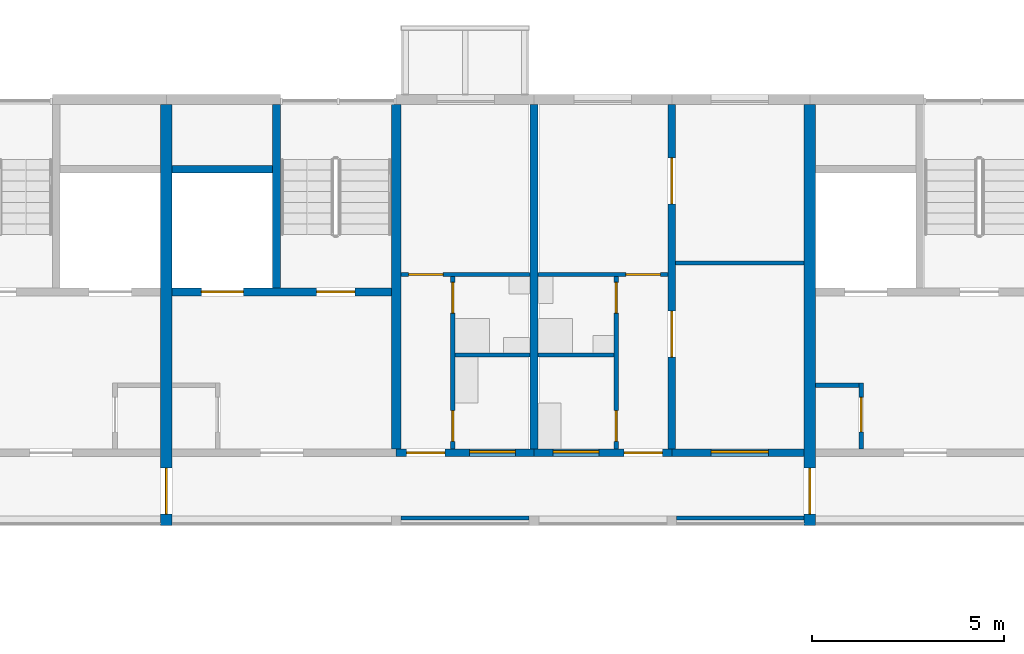
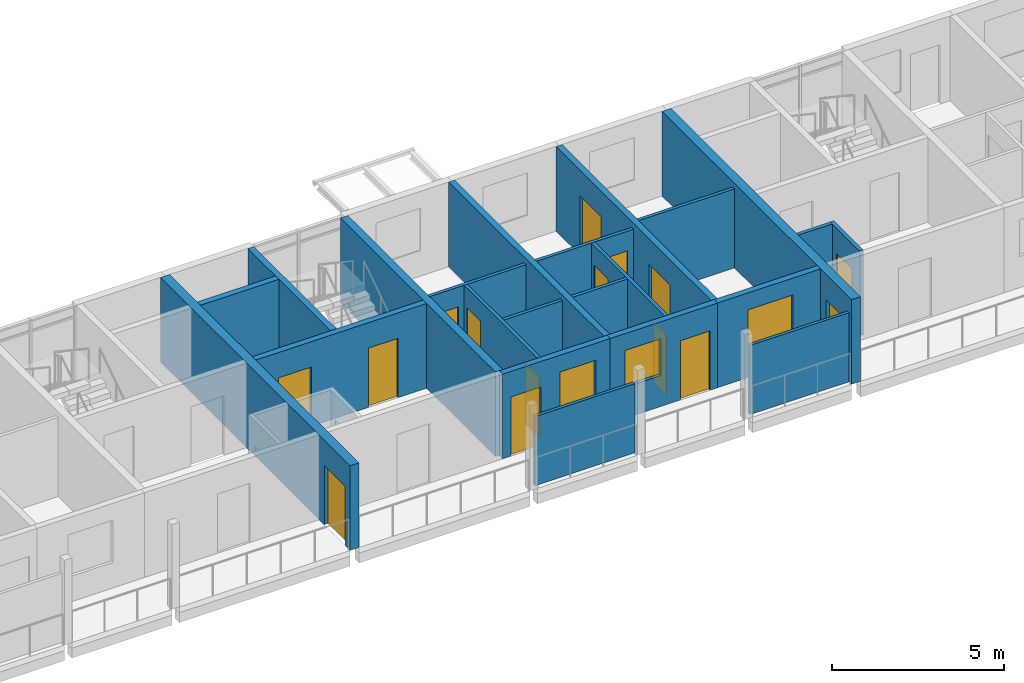
# One storey, part 52 of 98: 22 walls, 15 doors, 3 windows, 18 openings.
"""IFC4 building model written with IfcOpenShell, lengths in metres."""

from ifc_helpers import new_model, si_unit, direction, frame, frame_2d, origin, place, context, subcontext, project, spatial, rectangle, extrude, material, layer, layer_set, type_object, element, fill, save


model = new_model("IFC4")

# Units and contexts
model_context = context("Model", 3, precision=1e-05, world=origin(), true_north=direction((0.0, 1.0)))
body_context = subcontext(model_context, "Body", "Model", "MODEL_VIEW")
ifc_project = project(units=[si_unit("LENGTHUNIT", "METRE"), si_unit("AREAUNIT", "SQUARE_METRE"), si_unit("VOLUMEUNIT", "CUBIC_METRE"), si_unit("PLANEANGLEUNIT", "RADIAN"), si_unit("MASSUNIT", "GRAM", prefix="KILO")], contexts=[model_context])

# Site, building, storey
site_placement = place(None, origin())
site = spatial("IfcSite", under=ifc_project, at=site_placement, CompositionType="ELEMENT")
building_placement = place(site_placement, origin())
building = spatial("IfcBuilding", under=site, at=building_placement, Name="Ridgestep Commons", CompositionType="ELEMENT")
storey_placement = place(building_placement, frame((0.0, 0.0, 12.0)))
storey = spatial("IfcBuildingStorey", under=building, at=storey_placement, Name="L04", CompositionType="ELEMENT", Elevation=12.0)

# Wall
ifc_material_1 = material(Name="Concrete C30/37", Category="concrete")
ifc_layer_1 = layer(ifc_material_1, 0.25)
ifc_layer_set_1 = layer_set([ifc_layer_1], Name="Core cross wall 250")
wall_type_1 = type_object("IfcWallType", Name="Core cross wall 250", PredefinedType="SHEAR", material=ifc_layer_set_1)
wall_1_placement = place(storey_placement, frame((186.39990234375, 68.0, 0.0), z_axis=(0.0, 0.0, 1.0), x_axis=(0.0, 1.0, 0.0)))
element("IfcWall", 1, at=wall_1_placement, inside=storey, type_object=wall_type_1, Name="Cross wall C-04-1864", PredefinedType="SHEAR", context=body_context, shape_type="SweptSolid", body=[
    extrude(rectangle(XDim=9.0, YDim=0.25, at=frame_2d((4.5, 0.0))), origin(), (0.0, 0.0, 1.0), 3.0),
])

# Wall, opening, door
ifc_material_2 = material(Name="Concrete C30/37", Category="concrete")
ifc_layer_2 = layer(ifc_material_2, 0.1201171875)
ifc_layer_set_2 = layer_set([ifc_layer_2], Name="Core wall 120")
wall_type_2 = type_object("IfcWallType", Name="Core wall 120", PredefinedType="SHEAR", material=ifc_layer_set_2)
wall_2_placement = place(storey_placement, frame((198.5400390625, 68.0, 0.0), z_axis=(0.0, 0.0, 1.0), x_axis=(0.0, 1.0, 0.0)))
wall_2 = element("IfcWall", 2, at=wall_2_placement, inside=storey, type_object=wall_type_2, Name="Core riser w wall C4C L04", PredefinedType="SHEAR", context=body_context, shape_type="SweptSolid", body=[
    extrude(rectangle(XDim=1.719970703125, YDim=0.1201171875, at=frame_2d((0.85986328125, 0.0))), origin(), (0.0, 0.0, 1.0), 3.0),
])
opening_1_placement = place(wall_2_placement, frame((0.449951171875, 0.0, 0.0)))
opening_1 = element("IfcOpeningElement", 3, at=opening_1_placement, cuts=wall_2, Name="Opening C4C/04/4", PredefinedType="OPENING", context=body_context, shape_type="SweptSolid", body=[
    extrude(rectangle(XDim=0.89990234375, YDim=2.10009765625, at=frame_2d((0.449951171875, 1.050048828125))), frame((0.0, 0.070068359375, 0.0), z_axis=(0.0, -1.0, 0.0), x_axis=(1.0, 0.0, 0.0)), (0.0, 0.0, 1.0), 0.14013671875),
])
ifc_material_3 = material(Name="Steel fire door", Category="steel")
door_type_1 = type_object("IfcDoorType", Name="Riser door 900 x 2100 FD60", OperationType="NOTDEFINED", PredefinedType="DOOR", material=ifc_material_3)
door_1_placement = place(opening_1_placement, origin())
door_1 = element("IfcDoor", 4, at=door_1_placement, inside=storey, type_object=door_type_1, Name="Riser door C4C/04/4", OperationType="SINGLE_SWING_RIGHT", OverallHeight=2.10009765625, OverallWidth=0.89990234375, PredefinedType="DOOR", context=body_context, shape_type="SweptSolid", body=[
    extrude(rectangle(XDim=0.89990234375, YDim=2.10009765625, at=frame_2d((0.449951171875, 1.050048828125))), frame((0.0, 0.02490234375, 0.0), z_axis=(0.0, -1.0, 0.0), x_axis=(1.0, 0.0, 0.0)), (0.0, 0.0, 1.0), 0.050048828125),
])
fill(opening_1, door_1)

# Wall
wall_3_placement = place(storey_placement, frame((197.35009765625, 69.659912109375, 0.0), z_axis=(0.0, 0.0, 1.0), x_axis=(1.0, 0.0, 0.0)))
element("IfcWall", 5, at=wall_3_placement, inside=storey, type_object=wall_type_2, Name="Core riser n wall C4C L04", PredefinedType="SHEAR", context=body_context, shape_type="SweptSolid", body=[
    extrude(rectangle(XDim=1.1298828125, YDim=0.1201171875, at=frame_2d((0.56494140625, 0.0))), origin(), (0.0, 0.0, 1.0), 3.0),
])

# Wall, openings, doors
ifc_material_4 = material(Name="Concrete C30/37", Category="concrete")
ifc_layer_3 = layer(ifc_material_4, 0.199951171875)
ifc_layer_set_3 = layer_set([ifc_layer_3], Name="Core wall 200")
wall_type_3 = type_object("IfcWallType", Name="Core wall 200", PredefinedType="SHEAR", material=ifc_layer_set_3)
wall_4_placement = place(storey_placement, frame((180.550048828125, 72.10009765625, 0.0), z_axis=(0.0, 0.0, 1.0), x_axis=(1.0, 0.0, 0.0)))
wall_4 = element("IfcWall", 6, at=wall_4_placement, inside=storey, type_object=wall_type_3, Name="Core lobby wall C3C L04", PredefinedType="SHEAR", context=body_context, shape_type="SweptSolid", body=[
    extrude(rectangle(XDim=5.724853515625, YDim=0.199951171875, at=frame_2d((2.8623046875, 0.0))), origin(), (0.0, 0.0, 1.0), 3.0),
])
opening_2_placement = place(wall_4_placement, frame((3.77490234375, 0.0, 0.0)))
opening_2 = element("IfcOpeningElement", 7, at=opening_2_placement, cuts=wall_4, Name="Opening C3C/04/2", PredefinedType="OPENING", context=body_context, shape_type="SweptSolid", body=[
    extrude(rectangle(XDim=1.0, YDim=2.10009765625, at=frame_2d((0.5, 1.050048828125))), frame((0.0, 0.10986328125, 0.0), z_axis=(0.0, -1.0, 0.0), x_axis=(1.0, 0.0, 0.0)), (0.0, 0.0, 1.0), 0.219970703125),
])
opening_3_placement = place(wall_4_placement, frame((0.762451171875, 0.0, 0.0)))
opening_3 = element("IfcOpeningElement", 8, at=opening_3_placement, cuts=wall_4, Name="Opening C3C/04/3", PredefinedType="OPENING", context=body_context, shape_type="SweptSolid", body=[
    extrude(rectangle(XDim=1.10009765625, YDim=2.10009765625, at=frame_2d((0.550048828125, 1.050048828125))), frame((0.0, 0.10986328125, 0.0), z_axis=(0.0, -1.0, 0.0), x_axis=(1.0, 0.0, 0.0)), (0.0, 0.0, 1.0), 0.219970703125),
])
ifc_material_5 = material(Name="Stainless steel", Category="steel")
door_type_2 = type_object("IfcDoorType", Name="Lift landing door 1100 x 2100 FD60", OperationType="DOUBLE_DOOR_SLIDING", PredefinedType="DOOR", material=ifc_material_5)
door_2_placement = place(opening_3_placement, origin())
door_2 = element("IfcDoor", 9, at=door_2_placement, inside=storey, type_object=door_type_2, Name="Landing door LD C3C L04", OperationType="DOUBLE_DOOR_SLIDING", OverallHeight=2.10009765625, OverallWidth=1.10009765625, PredefinedType="DOOR", context=body_context, shape_type="SweptSolid", body=[
    extrude(rectangle(XDim=1.10009765625, YDim=2.10009765625, at=frame_2d((0.550048828125, 1.050048828125))), frame((0.0, 0.02490234375, 0.0), z_axis=(0.0, -1.0, 0.0), x_axis=(1.0, 0.0, 0.0)), (0.0, 0.0, 1.0), 0.050048828125),
])
fill(opening_3, door_2)
ifc_material_6 = material(Name="Steel fire door", Category="steel")
door_type_3 = type_object("IfcDoorType", Name="Stair door 1000 x 2100 FD60", OperationType="NOTDEFINED", PredefinedType="DOOR", material=ifc_material_6)
door_3_placement = place(opening_2_placement, origin())
door_3 = element("IfcDoor", 10, at=door_3_placement, inside=storey, type_object=door_type_3, Name="Stair door C3C/04/2", OperationType="SINGLE_SWING_RIGHT", OverallHeight=2.10009765625, OverallWidth=1.0, PredefinedType="DOOR", context=body_context, shape_type="SweptSolid", body=[
    extrude(rectangle(XDim=1.0, YDim=2.10009765625, at=frame_2d((0.5, 1.050048828125))), frame((0.0, 0.02490234375, 0.0), z_axis=(0.0, -1.0, 0.0), x_axis=(1.0, 0.0, 0.0)), (0.0, 0.0, 1.0), 0.050048828125),
])
fill(opening_2, door_3)

# Walls
wall_5_placement = place(storey_placement, frame((183.27490234375, 72.199951171875, 0.0), z_axis=(0.0, 0.0, 1.0), x_axis=(0.0, 1.0, 0.0)))
element("IfcWall", 11, at=wall_5_placement, inside=storey, type_object=wall_type_3, Name="Core stair wall C3C L04", PredefinedType="SHEAR", context=body_context, shape_type="SweptSolid", body=[
    extrude(rectangle(XDim=4.800048828125, YDim=0.199951171875, at=frame_2d((2.39990234375, 0.0))), origin(), (0.0, 0.0, 1.0), 3.0),
])
wall_6_placement = place(storey_placement, frame((180.550048828125, 75.300048828125, 0.0), z_axis=(0.0, 0.0, 1.0), x_axis=(1.0, 0.0, 0.0)))
element("IfcWall", 12, at=wall_6_placement, inside=storey, type_object=wall_type_3, Name="Core duct wall C3C L04", PredefinedType="SHEAR", context=body_context, shape_type="SweptSolid", body=[
    extrude(rectangle(XDim=2.625, YDim=0.199951171875, at=frame_2d((1.3125, 0.0))), origin(), (0.0, 0.0, 1.0), 3.0),
])
ifc_material_7 = material(Name="Precast concrete C40/50", Category="concrete")
ifc_layer_4 = layer(ifc_material_7, 0.199951171875)
ifc_layer_set_4 = layer_set([ifc_layer_4], Name="Cross wall 200")
wall_type_4 = type_object("IfcWallType", Name="Cross wall 200", PredefinedType="SHEAR", material=ifc_layer_set_4)
wall_7_placement = place(storey_placement, frame((190.0, 68.0, 0.0), z_axis=(0.0, 0.0, 1.0), x_axis=(0.0, 1.0, 0.0)))
element("IfcWall", 13, at=wall_7_placement, inside=storey, type_object=wall_type_4, Name="Cross wall C-04-1900", PredefinedType="SHEAR", context=body_context, shape_type="SweptSolid", body=[
    extrude(rectangle(XDim=9.0, YDim=0.199951171875, at=frame_2d((4.5, 0.0))), origin(), (0.0, 0.0, 1.0), 3.0),
])

# Wall, openings, doors
wall_8_placement = place(storey_placement, frame((193.60009765625, 68.0, 0.0), z_axis=(0.0, 0.0, 1.0), x_axis=(0.0, 1.0, 0.0)))
wall_8 = element("IfcWall", 14, at=wall_8_placement, inside=storey, type_object=wall_type_4, Name="Cross wall C-04-1936", PredefinedType="SHEAR", context=body_context, shape_type="SweptSolid", body=[
    extrude(rectangle(XDim=9.0, YDim=0.199951171875, at=frame_2d((4.5, 0.0))), origin(), (0.0, 0.0, 1.0), 3.0),
])
opening_4_placement = place(wall_8_placement, frame((2.39990234375, 0.0, 0.0)))
opening_4 = element("IfcOpeningElement", 15, at=opening_4_placement, cuts=wall_8, Name="Opening C3-04a/5", PredefinedType="OPENING", context=body_context, shape_type="SweptSolid", body=[
    extrude(rectangle(XDim=1.199951171875, YDim=2.10009765625, at=frame_2d((0.60009765625, 1.050048828125))), frame((0.0, 0.10986328125, 0.0), z_axis=(0.0, -1.0, 0.0), x_axis=(1.0, 0.0, 0.0)), (0.0, 0.0, 1.0), 0.219970703125),
])
opening_5_placement = place(wall_8_placement, frame((6.39990234375, 0.0, 0.0)))
opening_5 = element("IfcOpeningElement", 16, at=opening_5_placement, cuts=wall_8, Name="Opening C3-04a/6", PredefinedType="OPENING", context=body_context, shape_type="SweptSolid", body=[
    extrude(rectangle(XDim=1.199951171875, YDim=2.10009765625, at=frame_2d((0.60009765625, 1.050048828125))), frame((0.0, 0.10986328125, 0.0), z_axis=(0.0, -1.0, 0.0), x_axis=(1.0, 0.0, 0.0)), (0.0, 0.0, 1.0), 0.219970703125),
])
ifc_material_8 = material(Name="Timber door leaf", Category="wood")
door_type_4 = type_object("IfcDoorType", Name="Double door 1200 x 2100", OperationType="DOUBLE_DOOR_SINGLE_SWING", PredefinedType="DOOR", material=ifc_material_8)
door_4_placement = place(opening_4_placement, origin())
door_4 = element("IfcDoor", 17, at=door_4_placement, inside=storey, type_object=door_type_4, Name="Double door C3-04a/5", OperationType="DOUBLE_DOOR_SINGLE_SWING", OverallHeight=2.10009765625, OverallWidth=1.199951171875, PredefinedType="DOOR", context=body_context, shape_type="SweptSolid", body=[
    extrude(rectangle(XDim=1.199951171875, YDim=2.10009765625, at=frame_2d((0.60009765625, 1.050048828125))), frame((0.0, 0.02490234375, 0.0), z_axis=(0.0, -1.0, 0.0), x_axis=(1.0, 0.0, 0.0)), (0.0, 0.0, 1.0), 0.050048828125),
])
fill(opening_4, door_4)
door_5_placement = place(opening_5_placement, origin())
door_5 = element("IfcDoor", 18, at=door_5_placement, inside=storey, type_object=door_type_4, Name="Double door C3-04a/6", OperationType="DOUBLE_DOOR_SINGLE_SWING", OverallHeight=2.10009765625, OverallWidth=1.199951171875, PredefinedType="DOOR", context=body_context, shape_type="SweptSolid", body=[
    extrude(rectangle(XDim=1.199951171875, YDim=2.10009765625, at=frame_2d((0.60009765625, 1.050048828125))), frame((0.0, 0.02490234375, 0.0), z_axis=(0.0, -1.0, 0.0), x_axis=(1.0, 0.0, 0.0)), (0.0, 0.0, 1.0), 0.050048828125),
])
fill(opening_5, door_5)

# Wall, opening, door
ifc_material_9 = material(Name="Precast concrete C40/50", Category="concrete")
ifc_layer_5 = layer(ifc_material_9, 0.300048828125)
ifc_layer_set_5 = layer_set([ifc_layer_5], Name="Division wall 300")
wall_type_5 = type_object("IfcWallType", Name="Division wall 300", PredefinedType="SHEAR", material=ifc_layer_set_5)
wall_9_placement = place(storey_placement, frame((180.39990234375, 66.0, 0.0), z_axis=(0.0, 0.0, 1.0), x_axis=(0.0, 1.0, 0.0)))
wall_9 = element("IfcWall", 19, at=wall_9_placement, inside=storey, type_object=wall_type_5, Name="Cross wall C-04-1804", PredefinedType="SHEAR", context=body_context, shape_type="SweptSolid", body=[
    extrude(rectangle(XDim=11.0, YDim=0.300048828125, at=frame_2d((5.5, 0.0))), origin(), (0.0, 0.0, 1.0), 3.0),
])
opening_6_placement = place(wall_9_placement, frame((0.300048828125, 0.0, 0.0)))
opening_6 = element("IfcOpeningElement", 20, at=opening_6_placement, cuts=wall_9, Name="Opening C/04/G1804", PredefinedType="OPENING", context=body_context, shape_type="SweptSolid", body=[
    extrude(rectangle(XDim=1.199951171875, YDim=2.10009765625, at=frame_2d((0.60009765625, 1.050048828125))), frame((0.0, 0.159912109375, 0.0), z_axis=(0.0, -1.0, 0.0), x_axis=(1.0, 0.0, 0.0)), (0.0, 0.0, 1.0), 0.320068359375),
])
ifc_material_10 = material(Name="Steel fire door", Category="steel")
door_type_5 = type_object("IfcDoorType", Name="Division fire door 1200 x 2100 EI 240", OperationType="DOUBLE_DOOR_SINGLE_SWING", PredefinedType="DOOR", material=ifc_material_10)
door_6_placement = place(opening_6_placement, origin())
door_6 = element("IfcDoor", 21, at=door_6_placement, inside=storey, type_object=door_type_5, Name="Division fire door C/04/G1804", OperationType="DOUBLE_DOOR_SINGLE_SWING", OverallHeight=2.10009765625, OverallWidth=1.199951171875, PredefinedType="DOOR", context=body_context, shape_type="SweptSolid", body=[
    extrude(rectangle(XDim=1.199951171875, YDim=2.10009765625, at=frame_2d((0.60009765625, 1.050048828125))), frame((0.0, 0.02490234375, 0.0), z_axis=(0.0, -1.0, 0.0), x_axis=(1.0, 0.0, 0.0)), (0.0, 0.0, 1.0), 0.050048828125),
])
fill(opening_6, door_6)

wall_10_placement = place(storey_placement, frame((197.199951171875, 66.0, 0.0), z_axis=(0.0, 0.0, 1.0), x_axis=(0.0, 1.0, 0.0)))
wall_10 = element("IfcWall", 22, at=wall_10_placement, inside=storey, type_object=wall_type_5, Name="Cross wall C-04-1972", PredefinedType="SHEAR", context=body_context, shape_type="SweptSolid", body=[
    extrude(rectangle(XDim=11.0, YDim=0.300048828125, at=frame_2d((5.5, 0.0))), origin(), (0.0, 0.0, 1.0), 3.0),
])
opening_7_placement = place(wall_10_placement, frame((0.300048828125, 0.0, 0.0)))
opening_7 = element("IfcOpeningElement", 23, at=opening_7_placement, cuts=wall_10, Name="Opening C/04/G1972", PredefinedType="OPENING", context=body_context, shape_type="SweptSolid", body=[
    extrude(rectangle(XDim=1.199951171875, YDim=2.10009765625, at=frame_2d((0.60009765625, 1.050048828125))), frame((0.0, 0.159912109375, 0.0), z_axis=(0.0, -1.0, 0.0), x_axis=(1.0, 0.0, 0.0)), (0.0, 0.0, 1.0), 0.320068359375),
])
door_7_placement = place(opening_7_placement, origin())
door_7 = element("IfcDoor", 24, at=door_7_placement, inside=storey, type_object=door_type_5, Name="Division fire door C/04/G1972", OperationType="DOUBLE_DOOR_SINGLE_SWING", OverallHeight=2.10009765625, OverallWidth=1.199951171875, PredefinedType="DOOR", context=body_context, shape_type="SweptSolid", body=[
    extrude(rectangle(XDim=1.199951171875, YDim=2.10009765625, at=frame_2d((0.60009765625, 1.050048828125))), frame((0.0, 0.02490234375, 0.0), z_axis=(0.0, -1.0, 0.0), x_axis=(1.0, 0.0, 0.0)), (0.0, 0.0, 1.0), 0.050048828125),
])
fill(opening_7, door_7)

# Wall
ifc_material_11 = material(Name="Common brick 110 mm", Category="masonry")
ifc_layer_6 = layer(ifc_material_11, 0.110107421875)
ifc_layer_set_6 = layer_set([ifc_layer_6], Name="Partition 110")
wall_type_6 = type_object("IfcWallType", Name="Partition 110", PredefinedType="PARTITIONING", material=ifc_layer_set_6)
wall_11_placement = place(storey_placement, frame((190.10009765625, 70.455078125, 0.0), z_axis=(0.0, 0.0, 1.0), x_axis=(1.0, 0.0, 0.0)))
element("IfcWall", 25, at=wall_11_placement, inside=storey, type_object=wall_type_6, Name="Partition C3-04a", PredefinedType="PARTITIONING", context=body_context, shape_type="SweptSolid", body=[
    extrude(rectangle(XDim=1.989990234375, YDim=0.110107421875, at=frame_2d((0.9951171875, 0.0))), origin(), (0.0, 0.0, 1.0), 2.800048828125),
])

# Wall, openings, doors
wall_12_placement = place(storey_placement, frame((192.14501953125, 68.0, 0.0), z_axis=(0.0, 0.0, 1.0), x_axis=(0.0, 1.0, 0.0)))
wall_12 = element("IfcWall", 26, at=wall_12_placement, inside=storey, type_object=wall_type_6, Name="Partition C3-04a", PredefinedType="PARTITIONING", context=body_context, shape_type="SweptSolid", body=[
    extrude(rectangle(XDim=4.5, YDim=0.110107421875, at=frame_2d((2.25, 0.0))), origin(), (0.0, 0.0, 1.0), 2.800048828125),
])
opening_8_placement = place(wall_12_placement, frame((0.199951171875, 0.0, 0.0)))
opening_8 = element("IfcOpeningElement", 27, at=opening_8_placement, cuts=wall_12, Name="Opening C3-04a/2", PredefinedType="OPENING", context=body_context, shape_type="SweptSolid", body=[
    extrude(rectangle(XDim=0.800048828125, YDim=2.10009765625, at=frame_2d((0.39990234375, 1.050048828125))), frame((0.0, 0.06494140625, 0.0), z_axis=(0.0, -1.0, 0.0), x_axis=(1.0, 0.0, 0.0)), (0.0, 0.0, 1.0), 0.130126953125),
])
opening_9_placement = place(wall_12_placement, frame((3.550048828125, 0.0, 0.0)))
opening_9 = element("IfcOpeningElement", 28, at=opening_9_placement, cuts=wall_12, Name="Opening C3-04a/3", PredefinedType="OPENING", context=body_context, shape_type="SweptSolid", body=[
    extrude(rectangle(XDim=0.800048828125, YDim=2.10009765625, at=frame_2d((0.39990234375, 1.050048828125))), frame((0.0, 0.06494140625, 0.0), z_axis=(0.0, -1.0, 0.0), x_axis=(1.0, 0.0, 0.0)), (0.0, 0.0, 1.0), 0.130126953125),
])
ifc_material_12 = material(Name="Timber door leaf", Category="wood")
door_type_6 = type_object("IfcDoorType", Name="Internal door 800 x 2100", OperationType="NOTDEFINED", PredefinedType="DOOR", material=ifc_material_12)
door_8_placement = place(opening_8_placement, origin())
door_8 = element("IfcDoor", 29, at=door_8_placement, inside=storey, type_object=door_type_6, Name="Internal door C3-04a/2", OperationType="SINGLE_SWING_LEFT", OverallHeight=2.10009765625, OverallWidth=0.800048828125, PredefinedType="DOOR", context=body_context, shape_type="SweptSolid", body=[
    extrude(rectangle(XDim=0.800048828125, YDim=2.10009765625, at=frame_2d((0.39990234375, 1.050048828125))), frame((0.0, 0.02490234375, 0.0), z_axis=(0.0, -1.0, 0.0), x_axis=(1.0, 0.0, 0.0)), (0.0, 0.0, 1.0), 0.050048828125),
])
fill(opening_8, door_8)
door_9_placement = place(opening_9_placement, origin())
door_9 = element("IfcDoor", 30, at=door_9_placement, inside=storey, type_object=door_type_6, Name="Internal door C3-04a/3", OperationType="SINGLE_SWING_RIGHT", OverallHeight=2.10009765625, OverallWidth=0.800048828125, PredefinedType="DOOR", context=body_context, shape_type="SweptSolid", body=[
    extrude(rectangle(XDim=0.800048828125, YDim=2.10009765625, at=frame_2d((0.39990234375, 1.050048828125))), frame((0.0, 0.02490234375, 0.0), z_axis=(0.0, -1.0, 0.0), x_axis=(1.0, 0.0, 0.0)), (0.0, 0.0, 1.0), 0.050048828125),
])
fill(opening_9, door_9)

# Wall, opening, door
wall_13_placement = place(storey_placement, frame((190.10009765625, 72.554931640625, 0.0), z_axis=(0.0, 0.0, 1.0), x_axis=(1.0, 0.0, 0.0)))
wall_13 = element("IfcWall", 31, at=wall_13_placement, inside=storey, type_object=wall_type_6, Name="Partition C3-04a", PredefinedType="PARTITIONING", context=body_context, shape_type="SweptSolid", body=[
    extrude(rectangle(XDim=3.39990234375, YDim=0.110107421875, at=frame_2d((1.699951171875, 0.0))), origin(), (0.0, 0.0, 1.0), 2.800048828125),
])
opening_10_placement = place(wall_13_placement, frame((2.300048828125, 0.0, 0.0)))
opening_10 = element("IfcOpeningElement", 32, at=opening_10_placement, cuts=wall_13, Name="Opening C3-04a/4", PredefinedType="OPENING", context=body_context, shape_type="SweptSolid", body=[
    extrude(rectangle(XDim=0.89990234375, YDim=2.10009765625, at=frame_2d((0.449951171875, 1.050048828125))), frame((0.0, 0.06494140625, 0.0), z_axis=(0.0, -1.0, 0.0), x_axis=(1.0, 0.0, 0.0)), (0.0, 0.0, 1.0), 0.130126953125),
])
ifc_material_13 = material(Name="Timber door leaf", Category="wood")
door_type_7 = type_object("IfcDoorType", Name="Internal door 900 x 2100", OperationType="NOTDEFINED", PredefinedType="DOOR", material=ifc_material_13)
door_10_placement = place(opening_10_placement, origin())
door_10 = element("IfcDoor", 33, at=door_10_placement, inside=storey, type_object=door_type_7, Name="Internal door C3-04a/4", OperationType="SINGLE_SWING_LEFT", OverallHeight=2.10009765625, OverallWidth=0.89990234375, PredefinedType="DOOR", context=body_context, shape_type="SweptSolid", body=[
    extrude(rectangle(XDim=0.89990234375, YDim=2.10009765625, at=frame_2d((0.449951171875, 1.050048828125))), frame((0.0, 0.02490234375, 0.0), z_axis=(0.0, -1.0, 0.0), x_axis=(1.0, 0.0, 0.0)), (0.0, 0.0, 1.0), 0.050048828125),
])
fill(opening_10, door_10)

# Wall
wall_14_placement = place(storey_placement, frame((193.699951171875, 72.85498046875, 0.0), z_axis=(0.0, 0.0, 1.0), x_axis=(1.0, 0.0, 0.0)))
element("IfcWall", 34, at=wall_14_placement, inside=storey, type_object=wall_type_6, Name="Partition C3-04a", PredefinedType="PARTITIONING", context=body_context, shape_type="SweptSolid", body=[
    extrude(rectangle(XDim=3.35009765625, YDim=0.110107421875, at=frame_2d((1.675048828125, 0.0))), origin(), (0.0, 0.0, 1.0), 2.800048828125),
])

# Wall, openings, doors
wall_15_placement = place(storey_placement, frame((187.8798828125, 68.0, 0.0), z_axis=(0.0, 0.0, 1.0), x_axis=(0.0, 1.0, 0.0)))
wall_15 = element("IfcWall", 35, at=wall_15_placement, inside=storey, type_object=wall_type_6, Name="Partition C3-04b", PredefinedType="PARTITIONING", context=body_context, shape_type="SweptSolid", body=[
    extrude(rectangle(XDim=4.5, YDim=0.110107421875, at=frame_2d((2.25, 0.0))), origin(), (0.0, 0.0, 1.0), 2.800048828125),
])
opening_11_placement = place(wall_15_placement, frame((0.199951171875, 0.0, 0.0)))
opening_11 = element("IfcOpeningElement", 36, at=opening_11_placement, cuts=wall_15, Name="Opening C3-04b/2", PredefinedType="OPENING", context=body_context, shape_type="SweptSolid", body=[
    extrude(rectangle(XDim=0.800048828125, YDim=2.10009765625, at=frame_2d((0.39990234375, 1.050048828125))), frame((0.0, 0.06494140625, 0.0), z_axis=(0.0, -1.0, 0.0), x_axis=(1.0, 0.0, 0.0)), (0.0, 0.0, 1.0), 0.130126953125),
])
opening_12_placement = place(wall_15_placement, frame((3.550048828125, 0.0, 0.0)))
opening_12 = element("IfcOpeningElement", 37, at=opening_12_placement, cuts=wall_15, Name="Opening C3-04b/3", PredefinedType="OPENING", context=body_context, shape_type="SweptSolid", body=[
    extrude(rectangle(XDim=0.800048828125, YDim=2.10009765625, at=frame_2d((0.39990234375, 1.050048828125))), frame((0.0, 0.06494140625, 0.0), z_axis=(0.0, -1.0, 0.0), x_axis=(1.0, 0.0, 0.0)), (0.0, 0.0, 1.0), 0.130126953125),
])
door_11_placement = place(opening_11_placement, origin())
door_11 = element("IfcDoor", 38, at=door_11_placement, inside=storey, type_object=door_type_6, Name="Internal door C3-04b/2", OperationType="SINGLE_SWING_RIGHT", OverallHeight=2.10009765625, OverallWidth=0.800048828125, PredefinedType="DOOR", context=body_context, shape_type="SweptSolid", body=[
    extrude(rectangle(XDim=0.800048828125, YDim=2.10009765625, at=frame_2d((0.39990234375, 1.050048828125))), frame((0.0, 0.02490234375, 0.0), z_axis=(0.0, -1.0, 0.0), x_axis=(1.0, 0.0, 0.0)), (0.0, 0.0, 1.0), 0.050048828125),
])
fill(opening_11, door_11)
door_12_placement = place(opening_12_placement, origin())
door_12 = element("IfcDoor", 39, at=door_12_placement, inside=storey, type_object=door_type_6, Name="Internal door C3-04b/3", OperationType="SINGLE_SWING_LEFT", OverallHeight=2.10009765625, OverallWidth=0.800048828125, PredefinedType="DOOR", context=body_context, shape_type="SweptSolid", body=[
    extrude(rectangle(XDim=0.800048828125, YDim=2.10009765625, at=frame_2d((0.39990234375, 1.050048828125))), frame((0.0, 0.02490234375, 0.0), z_axis=(0.0, -1.0, 0.0), x_axis=(1.0, 0.0, 0.0)), (0.0, 0.0, 1.0), 0.050048828125),
])
fill(opening_12, door_12)

# Wall
wall_16_placement = place(storey_placement, frame((187.93505859375, 70.455078125, 0.0), z_axis=(0.0, 0.0, 1.0), x_axis=(1.0, 0.0, 0.0)))
element("IfcWall", 40, at=wall_16_placement, inside=storey, type_object=wall_type_6, Name="Partition C3-04b", PredefinedType="PARTITIONING", context=body_context, shape_type="SweptSolid", body=[
    extrude(rectangle(XDim=1.96484375, YDim=0.110107421875, at=frame_2d((0.982421875, 0.0))), origin(), (0.0, 0.0, 1.0), 2.800048828125),
])

# Wall, opening, door
wall_17_placement = place(storey_placement, frame((186.52490234375, 72.554931640625, 0.0), z_axis=(0.0, 0.0, 1.0), x_axis=(1.0, 0.0, 0.0)))
wall_17 = element("IfcWall", 41, at=wall_17_placement, inside=storey, type_object=wall_type_6, Name="Partition C3-04b", PredefinedType="PARTITIONING", context=body_context, shape_type="SweptSolid", body=[
    extrude(rectangle(XDim=3.375, YDim=0.110107421875, at=frame_2d((1.6875, 0.0))), origin(), (0.0, 0.0, 1.0), 2.800048828125),
])
opening_13_placement = place(wall_17_placement, frame((0.199951171875, 0.0, 0.0)))
opening_13 = element("IfcOpeningElement", 42, at=opening_13_placement, cuts=wall_17, Name="Opening C3-04b/4", PredefinedType="OPENING", context=body_context, shape_type="SweptSolid", body=[
    extrude(rectangle(XDim=0.89990234375, YDim=2.10009765625, at=frame_2d((0.449951171875, 1.050048828125))), frame((0.0, 0.06494140625, 0.0), z_axis=(0.0, -1.0, 0.0), x_axis=(1.0, 0.0, 0.0)), (0.0, 0.0, 1.0), 0.130126953125),
])
door_13_placement = place(opening_13_placement, origin())
door_13 = element("IfcDoor", 43, at=door_13_placement, inside=storey, type_object=door_type_7, Name="Internal door C3-04b/4", OperationType="SINGLE_SWING_LEFT", OverallHeight=2.10009765625, OverallWidth=0.89990234375, PredefinedType="DOOR", context=body_context, shape_type="SweptSolid", body=[
    extrude(rectangle(XDim=0.89990234375, YDim=2.10009765625, at=frame_2d((0.449951171875, 1.050048828125))), frame((0.0, 0.02490234375, 0.0), z_axis=(0.0, -1.0, 0.0), x_axis=(1.0, 0.0, 0.0)), (0.0, 0.0, 1.0), 0.050048828125),
])
fill(opening_13, door_13)

# Walls
ifc_material_14 = material(Name="Precast concrete C30/37", Category="concrete")
ifc_layer_7 = layer(ifc_material_14, 0.10009765625)
ifc_layer_set_7 = layer_set([ifc_layer_7], Name="Perforated gallery screen 3325 x 2450 x 100")
wall_type_7 = type_object("IfcWallType", Name="Perforated gallery screen 3325 x 2450 x 100", PredefinedType="SOLIDWALL", material=ifc_layer_set_7)
wall_18_placement = place(storey_placement, frame((193.72509765625, 66.199951171875, 0.0), z_axis=(0.0, 0.0, 1.0), x_axis=(1.0, 0.0, 0.0)))
element("IfcWall", 44, at=wall_18_placement, inside=storey, type_object=wall_type_7, Name="Gallery screen C3T1 04", PredefinedType="SOLIDWALL", context=body_context, shape_type="SweptSolid", body=[
    extrude(rectangle(XDim=3.324951171875, YDim=0.10009765625, at=frame_2d((1.66259765625, 0.0))), origin(), (0.0, 0.0, 1.0), 2.449951171875),
])
ifc_material_15 = material(Name="Precast concrete C30/37", Category="concrete")
ifc_layer_8 = layer(ifc_material_15, 0.10009765625)
ifc_layer_set_8 = layer_set([ifc_layer_8], Name="Perforated gallery screen 3350 x 2450 x 100")
wall_type_8 = type_object("IfcWallType", Name="Perforated gallery screen 3350 x 2450 x 100", PredefinedType="SOLIDWALL", material=ifc_layer_set_8)
wall_19_placement = place(storey_placement, frame((186.52490234375, 66.199951171875, 0.0), z_axis=(0.0, 0.0, 1.0), x_axis=(1.0, 0.0, 0.0)))
element("IfcWall", 45, at=wall_19_placement, inside=storey, type_object=wall_type_8, Name="Gallery screen C3T3 04", PredefinedType="SOLIDWALL", context=body_context, shape_type="SweptSolid", body=[
    extrude(rectangle(XDim=3.35009765625, YDim=0.10009765625, at=frame_2d((1.675048828125, 0.0))), origin(), (0.0, 0.0, 1.0), 2.449951171875),
])

# Wall, openings, door, window
ifc_material_16 = material(Name="Precast concrete C40/50", Category="concrete")
ifc_layer_9 = layer(ifc_material_16, 0.199951171875)
ifc_layer_set_9 = layer_set([ifc_layer_9], Name="South facade panel 200")
wall_type_9 = type_object("IfcWallType", Name="South facade panel 200", PredefinedType="SOLIDWALL", material=ifc_layer_set_9)
wall_20_placement = place(storey_placement, frame((186.39990234375, 67.89990234375, 0.0), z_axis=(0.0, 0.0, 1.0), x_axis=(1.0, 0.0, 0.0)))
wall_20 = element("IfcWall", 46, at=wall_20_placement, inside=storey, type_object=wall_type_9, Name="South panel C3T3 L04", PredefinedType="SOLIDWALL", context=body_context, shape_type="SweptSolid", body=[
    extrude(rectangle(XDim=3.60009765625, YDim=0.199951171875, at=frame_2d((1.800048828125, 0.0))), origin(), (0.0, 0.0, 1.0), 3.0),
])
opening_14_placement = place(wall_20_placement, frame((1.91748046875, 0.0, 1.10009765625)))
opening_14 = element("IfcOpeningElement", 47, at=opening_14_placement, cuts=wall_20, Name="Opening W08", PredefinedType="OPENING", context=body_context, shape_type="SweptSolid", body=[
    extrude(rectangle(XDim=1.199951171875, YDim=1.300048828125, at=frame_2d((0.60009765625, 0.64990234375))), frame((0.0, 0.10986328125, 0.0), z_axis=(0.0, -1.0, 0.0), x_axis=(1.0, 0.0, 0.0)), (0.0, 0.0, 1.0), 0.219970703125),
])
opening_15_placement = place(wall_20_placement, frame((0.27490234375, 0.0, 0.0)))
opening_15 = element("IfcOpeningElement", 48, at=opening_15_placement, cuts=wall_20, Name="Opening C3-04b/1", PredefinedType="OPENING", context=body_context, shape_type="SweptSolid", body=[
    extrude(rectangle(XDim=1.0, YDim=2.10009765625, at=frame_2d((0.5, 1.050048828125))), frame((0.0, 0.10986328125, 0.0), z_axis=(0.0, -1.0, 0.0), x_axis=(1.0, 0.0, 0.0)), (0.0, 0.0, 1.0), 0.219970703125),
])
ifc_material_17 = material(Name="Timber door leaf", Category="wood")
door_type_8 = type_object("IfcDoorType", Name="Flat entrance door 1000 x 2100 FD30S", OperationType="NOTDEFINED", PredefinedType="DOOR", material=ifc_material_17)
door_14_placement = place(opening_15_placement, origin())
door_14 = element("IfcDoor", 49, at=door_14_placement, inside=storey, type_object=door_type_8, Name="Flat entrance door C3-04b/1", OperationType="SINGLE_SWING_LEFT", OverallHeight=2.10009765625, OverallWidth=1.0, PredefinedType="DOOR", context=body_context, shape_type="SweptSolid", body=[
    extrude(rectangle(XDim=1.0, YDim=2.10009765625, at=frame_2d((0.5, 1.050048828125))), frame((0.0, 0.02490234375, 0.0), z_axis=(0.0, -1.0, 0.0), x_axis=(1.0, 0.0, 0.0)), (0.0, 0.0, 1.0), 0.050048828125),
])
fill(opening_15, door_14)
ifc_material_18 = material(Name="Aluminium 6063-T6 and glass", Category="aluminium")
window_type_1 = type_object("IfcWindowType", Name="Flat window 1200 x 1300", PartitioningType="SINGLE_PANEL", PredefinedType="WINDOW", material=ifc_material_18)
window_1_placement = place(opening_14_placement, origin())
window_1 = element("IfcWindow", 50, at=window_1_placement, inside=storey, type_object=window_type_1, Name="Window C3-04b 1", OverallHeight=1.300048828125, OverallWidth=1.199951171875, PartitioningType="SINGLE_PANEL", PredefinedType="WINDOW", context=body_context, shape_type="SweptSolid", body=[
    extrude(rectangle(XDim=1.199951171875, YDim=1.300048828125, at=frame_2d((0.60009765625, 0.64990234375))), frame((0.0, 0.06005859375, 0.0), z_axis=(0.0, -1.0, 0.0), x_axis=(1.0, 0.0, 0.0)), (0.0, 0.0, 1.0), 0.06005859375),
])
fill(opening_14, window_1)

wall_21_placement = place(storey_placement, frame((190.0, 67.89990234375, 0.0), z_axis=(0.0, 0.0, 1.0), x_axis=(1.0, 0.0, 0.0)))
wall_21 = element("IfcWall", 51, at=wall_21_placement, inside=storey, type_object=wall_type_9, Name="South panel C3T2 L04", PredefinedType="SOLIDWALL", context=body_context, shape_type="SweptSolid", body=[
    extrude(rectangle(XDim=3.60009765625, YDim=0.199951171875, at=frame_2d((1.800048828125, 0.0))), origin(), (0.0, 0.0, 1.0), 3.0),
])
opening_16_placement = place(wall_21_placement, frame((0.4951171875, 0.0, 1.10009765625)))
opening_16 = element("IfcOpeningElement", 52, at=opening_16_placement, cuts=wall_21, Name="Opening W08", PredefinedType="OPENING", context=body_context, shape_type="SweptSolid", body=[
    extrude(rectangle(XDim=1.199951171875, YDim=1.300048828125, at=frame_2d((0.60009765625, 0.64990234375))), frame((0.0, 0.10986328125, 0.0), z_axis=(0.0, -1.0, 0.0), x_axis=(1.0, 0.0, 0.0)), (0.0, 0.0, 1.0), 0.219970703125),
])
opening_17_placement = place(wall_21_placement, frame((2.35009765625, 0.0, 0.0)))
opening_17 = element("IfcOpeningElement", 53, at=opening_17_placement, cuts=wall_21, Name="Opening C3-04a/1", PredefinedType="OPENING", context=body_context, shape_type="SweptSolid", body=[
    extrude(rectangle(XDim=1.0, YDim=2.10009765625, at=frame_2d((0.5, 1.050048828125))), frame((0.0, 0.10986328125, 0.0), z_axis=(0.0, -1.0, 0.0), x_axis=(1.0, 0.0, 0.0)), (0.0, 0.0, 1.0), 0.219970703125),
])
door_15_placement = place(opening_17_placement, origin())
door_15 = element("IfcDoor", 54, at=door_15_placement, inside=storey, type_object=door_type_8, Name="Flat entrance door C3-04a/1", OperationType="SINGLE_SWING_RIGHT", OverallHeight=2.10009765625, OverallWidth=1.0, PredefinedType="DOOR", context=body_context, shape_type="SweptSolid", body=[
    extrude(rectangle(XDim=1.0, YDim=2.10009765625, at=frame_2d((0.5, 1.050048828125))), frame((0.0, 0.02490234375, 0.0), z_axis=(0.0, -1.0, 0.0), x_axis=(1.0, 0.0, 0.0)), (0.0, 0.0, 1.0), 0.050048828125),
])
fill(opening_17, door_15)
window_2_placement = place(opening_16_placement, origin())
window_2 = element("IfcWindow", 55, at=window_2_placement, inside=storey, type_object=window_type_1, Name="Window C3-04a 3", OverallHeight=1.300048828125, OverallWidth=1.199951171875, PartitioningType="SINGLE_PANEL", PredefinedType="WINDOW", context=body_context, shape_type="SweptSolid", body=[
    extrude(rectangle(XDim=1.199951171875, YDim=1.300048828125, at=frame_2d((0.60009765625, 0.64990234375))), frame((0.0, 0.06005859375, 0.0), z_axis=(0.0, -1.0, 0.0), x_axis=(1.0, 0.0, 0.0)), (0.0, 0.0, 1.0), 0.06005859375),
])
fill(opening_16, window_2)

# Wall, opening, window
wall_22_placement = place(storey_placement, frame((193.60009765625, 67.89990234375, 0.0), z_axis=(0.0, 0.0, 1.0), x_axis=(1.0, 0.0, 0.0)))
wall_22 = element("IfcWall", 56, at=wall_22_placement, inside=storey, type_object=wall_type_9, Name="South panel C3T1 L04", PredefinedType="SOLIDWALL", context=body_context, shape_type="SweptSolid", body=[
    extrude(rectangle(XDim=3.449951171875, YDim=0.199951171875, at=frame_2d((1.72509765625, 0.0))), origin(), (0.0, 0.0, 1.0), 3.0),
])
opening_18_placement = place(wall_22_placement, frame((1.02490234375, 0.0, 0.89990234375)))
opening_18 = element("IfcOpeningElement", 57, at=opening_18_placement, cuts=wall_22, Name="Opening W16", PredefinedType="OPENING", context=body_context, shape_type="SweptSolid", body=[
    extrude(rectangle(XDim=1.5, YDim=1.5, at=frame_2d((0.75, 0.75))), frame((0.0, 0.10986328125, 0.0), z_axis=(0.0, -1.0, 0.0), x_axis=(1.0, 0.0, 0.0)), (0.0, 0.0, 1.0), 0.219970703125),
])
ifc_material_19 = material(Name="Aluminium 6063-T6 and glass", Category="aluminium")
window_type_2 = type_object("IfcWindowType", Name="Flat window 1500 x 1500", PartitioningType="DOUBLE_PANEL_VERTICAL", PredefinedType="WINDOW", material=ifc_material_19)
window_3_placement = place(opening_18_placement, origin())
window_3 = element("IfcWindow", 58, at=window_3_placement, inside=storey, type_object=window_type_2, Name="Window C3-04a 1", OverallHeight=1.5, OverallWidth=1.5, PartitioningType="SINGLE_PANEL", PredefinedType="WINDOW", context=body_context, shape_type="SweptSolid", body=[
    extrude(rectangle(XDim=1.5, YDim=1.5, at=frame_2d((0.75, 0.75))), frame((0.0, 0.06005859375, 0.0), z_axis=(0.0, -1.0, 0.0), x_axis=(1.0, 0.0, 0.0)), (0.0, 0.0, 1.0), 0.06005859375),
])
fill(opening_18, window_3)

save(model, "model.ifc")
